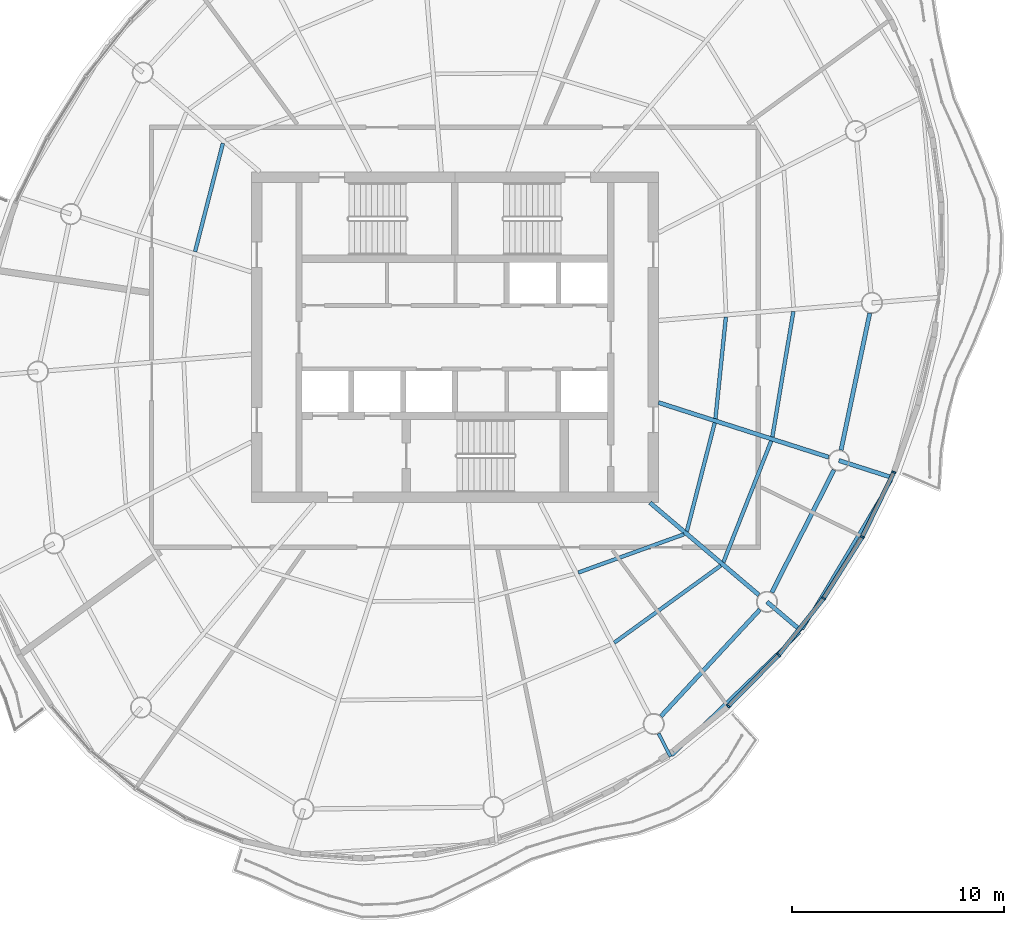
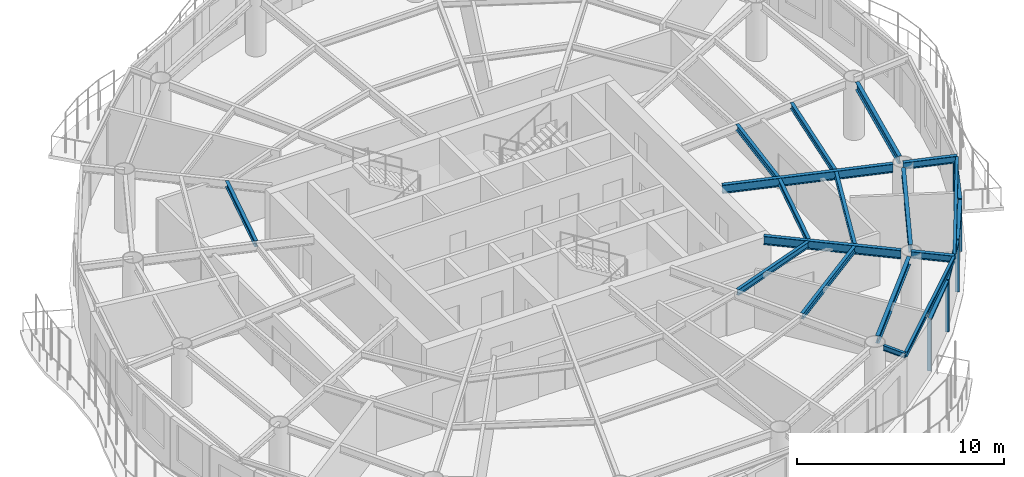
# One storey, part 3 of 14: 17 beams, 9 members, 4 elements without a shape of their own.
"""IFC4 building model written with IfcOpenShell, lengths in metres."""

from ifc_helpers import new_model, si_unit, direction, frame, origin, origin_2d, place, context, subcontext, project, spatial, rectangle, i_section, extrude, material, material_profile, profile_set, type_object, element, aggregate, save


model = new_model("IFC4")

# Units and contexts
model_context = context("Model", 3, precision=1e-05, world=origin(), true_north=direction((0.0, 1.0)))
body_context = subcontext(model_context, "Body", "Model", "MODEL_VIEW")
ifc_project = project(units=[si_unit("LENGTHUNIT", "METRE"), si_unit("AREAUNIT", "SQUARE_METRE"), si_unit("VOLUMEUNIT", "CUBIC_METRE"), si_unit("PLANEANGLEUNIT", "RADIAN"), si_unit("MASSUNIT", "GRAM", prefix="KILO")], contexts=[model_context])

# Site, building, storey
site_placement = place(None, origin())
site = spatial("IfcSite", under=ifc_project, at=site_placement, CompositionType="ELEMENT")
building_placement = place(site_placement, origin())
building = spatial("IfcBuilding", under=site, at=building_placement, Name="Vermilion Reach Broadcast Tower", CompositionType="ELEMENT")
storey_placement = place(building_placement, frame((0.0, 0.0, 254.10009765625)))
storey = spatial("IfcBuildingStorey", under=building, at=storey_placement, Name="L62", CompositionType="ELEMENT", Elevation=254.10009765625)

# Beams
ifc_material_1 = material(Name="Steel S355J2", Category="steel")
ifc_material_profile_1 = material_profile(ifc_material_1, i_section(OverallWidth=0.14990234375, OverallDepth=0.300048828125, WebThickness=0.006591796875, FlangeThickness=0.009033203125, at=origin_2d()), Name="S355J2 HN 300x150x6.5x9")
ifc_profile_set_1 = profile_set([ifc_material_profile_1], Name="Steel S355J2")
beam_type_1 = type_object("IfcBeamType", Name="EB5 HN 300x150x6.5x9", PredefinedType="BEAM", material=ifc_profile_set_1)
beam_1_placement = place(storey_placement, frame((4.224609375, -19.722412109375, 3.2998046875), z_axis=(0.720760242207, 0.693184443892, 0.0), x_axis=(-0.693184443892, 0.720760242207, 0.0)))
element("IfcBeam", 1, at=beam_1_placement, inside=storey, type_object=beam_type_1, Name="Edge beam EB5-11", PredefinedType="BEAM", context=body_context, shape_type="SweptSolid", body=[
    extrude(i_section(OverallWidth=0.14990234375, OverallDepth=0.300048828125, WebThickness=0.006591796875, FlangeThickness=0.009033203125, at=origin_2d()), origin(), (0.0, 0.0, 1.0), 8.375244140625),
])
beam_2_placement = place(storey_placement, frame((10.3857421875, -13.760009765625, 3.2998046875), z_axis=(0.512455740507, 0.858713639126, 0.0), x_axis=(-0.858713639126, 0.512455740507, 0.0)))
element("IfcBeam", 2, at=beam_2_placement, inside=storey, type_object=beam_type_1, Name="Edge beam EB5-12", PredefinedType="BEAM", context=body_context, shape_type="SweptSolid", body=[
    extrude(i_section(OverallWidth=0.14990234375, OverallDepth=0.300048828125, WebThickness=0.006591796875, FlangeThickness=0.009033203125, at=origin_2d()), origin(), (0.0, 0.0, 1.0), 8.207275390625),
])
ifc_material_2 = material(Name="Steel S355J2", Category="steel")
ifc_material_profile_2 = material_profile(ifc_material_2, i_section(OverallWidth=0.199951171875, OverallDepth=0.5, WebThickness=0.010009765625, FlangeThickness=0.01611328125, at=origin_2d()), Name="S355J2 HN 500x200x10x16")
ifc_profile_set_2 = profile_set([ifc_material_profile_2], Name="Steel S355J2")
beam_type_2 = type_object("IfcBeamType", Name="G5 HN 500x200x10x16", PredefinedType="BEAM", material=ifc_profile_set_2)
beam_3_placement = place(storey_placement, frame((3.20068359375, -7.800048828125, 3.199951171875), z_axis=(0.762793125612, -0.646642596431, 0.0), x_axis=(0.646642596431, 0.762793125612, 0.0)))
element("IfcBeam", 3, at=beam_3_placement, inside=storey, type_object=beam_type_2, Name="Girder G5-12", PredefinedType="BEAM", context=body_context, shape_type="SweptSolid", body=[
    extrude(i_section(OverallWidth=0.199951171875, OverallDepth=0.5, WebThickness=0.010009765625, FlangeThickness=0.01611328125, at=origin_2d()), origin(), (0.0, 0.0, 1.0), 6.732421875),
])
beam_4_placement = place(storey_placement, frame((3.60009765625, -3.080322265625, 3.199951171875), z_axis=(0.952178453449, -0.305542456604, 0.0), x_axis=(0.305542456604, 0.952178453449, 0.0)))
element("IfcBeam", 4, at=beam_4_placement, inside=storey, type_object=beam_type_2, Name="Girder G5-13", PredefinedType="BEAM", context=body_context, shape_type="SweptSolid", body=[
    extrude(i_section(OverallWidth=0.199951171875, OverallDepth=0.5, WebThickness=0.010009765625, FlangeThickness=0.01611328125, at=origin_2d()), origin(), (0.0, 0.0, 1.0), 8.43310546875),
])
ifc_material_3 = material(Name="Steel S355J2", Category="steel")
ifc_material_profile_3 = material_profile(ifc_material_3, i_section(OverallWidth=0.199951171875, OverallDepth=0.39990234375, WebThickness=0.008056640625, FlangeThickness=0.012939453125, at=origin_2d()), Name="S355J2 HN 400x200x8x13")
ifc_profile_set_3 = profile_set([ifc_material_profile_3], Name="Steel S355J2")
beam_type_3 = type_object("IfcBeamType", Name="GC5 HN 400x200x8x13", PredefinedType="BEAM", material=ifc_profile_set_3)
beam_5_placement = place(storey_placement, frame((8.717529296875, -12.476806640625, 3.25), z_axis=(0.762734724319, -0.646711481511, 0.0), x_axis=(0.646711481511, 0.762734724319, 0.0)))
element("IfcBeam", 5, at=beam_5_placement, inside=storey, type_object=beam_type_3, Name="Cantilever girder GC5-12", PredefinedType="BEAM", context=body_context, shape_type="SweptSolid", body=[
    extrude(i_section(OverallWidth=0.199951171875, OverallDepth=0.39990234375, WebThickness=0.008056640625, FlangeThickness=0.012939453125, at=origin_2d()), origin(), (0.0, 0.0, 1.0), 2.118896484375),
])
beam_6_placement = place(storey_placement, frame((12.10595703125, -5.809814453125, 3.25), z_axis=(0.95218566147, -0.305519992947, 0.0), x_axis=(0.305519992947, 0.95218566147, 0.0)))
element("IfcBeam", 6, at=beam_6_placement, inside=storey, type_object=beam_type_3, Name="Cantilever girder GC5-13", PredefinedType="BEAM", context=body_context, shape_type="SweptSolid", body=[
    extrude(i_section(OverallWidth=0.199951171875, OverallDepth=0.39990234375, WebThickness=0.008056640625, FlangeThickness=0.012939453125, at=origin_2d()), origin(), (0.0, 0.0, 1.0), 2.665771484375),
])
ifc_material_4 = material(Name="Steel S355J2", Category="steel")
ifc_material_profile_4 = material_profile(ifc_material_4, i_section(OverallWidth=0.14990234375, OverallDepth=0.300048828125, WebThickness=0.006591796875, FlangeThickness=0.009033203125, at=origin_2d()), Name="S355J2 HN 300x150x6.5x9")
ifc_profile_set_4 = profile_set([ifc_material_profile_4], Name="Steel S355J2")
beam_type_4 = type_object("IfcBeamType", Name="GS5 HN 300x150x6.5x9", PredefinedType="BEAM", material=ifc_profile_set_4)
beam_7_placement = place(storey_placement, frame((3.60546875, -18.682373046875, 3.2998046875), z_axis=(0.457343529414, -0.889290107953, 0.0), x_axis=(0.889290107953, 0.457343529414, 0.0)))
element("IfcBeam", 7, at=beam_7_placement, inside=storey, type_object=beam_type_4, Name="Cantilever stub GS5-11", PredefinedType="BEAM", context=body_context, shape_type="SweptSolid", body=[
    extrude(i_section(OverallWidth=0.14990234375, OverallDepth=0.300048828125, WebThickness=0.006591796875, FlangeThickness=0.009033203125, at=origin_2d()), origin(), (0.0, 0.0, 1.0), 1.23046875),
])
ifc_material_5 = material(Name="Steel S355J2", Category="steel")
ifc_material_profile_5 = material_profile(ifc_material_5, i_section(OverallWidth=0.199951171875, OverallDepth=0.449951171875, WebThickness=0.009033203125, FlangeThickness=0.013916015625, at=origin_2d()), Name="S355J2 HN 450x200x9x14")
ifc_profile_set_5 = profile_set([ifc_material_profile_5], Name="Steel S355J2")
beam_type_5 = type_object("IfcBeamType", Name="RB5 HN 450x200x9x14", PredefinedType="BEAM", material=ifc_profile_set_5)
beam_8_placement = place(storey_placement, frame((3.716796875, -17.87109375, 3.224853515625), z_axis=(0.679837550075, 0.733362738014, 0.0), x_axis=(-0.733362738014, 0.679837550075, 0.0)))
element("IfcBeam", 8, at=beam_8_placement, inside=storey, type_object=beam_type_5, Name="Ring beam RB5-11", PredefinedType="BEAM", context=body_context, shape_type="SweptSolid", body=[
    extrude(i_section(OverallWidth=0.199951171875, OverallDepth=0.449951171875, WebThickness=0.009033203125, FlangeThickness=0.013916015625, at=origin_2d()), origin(), (0.0, 0.0, 1.0), 6.85546875),
])
beam_9_placement = place(storey_placement, frame((8.944091796875, -12.03125, 3.224853515625), z_axis=(0.453052302855, 0.891483937532, 0.0), x_axis=(-0.891483937532, 0.453052302855, 0.0)))
element("IfcBeam", 9, at=beam_9_placement, inside=storey, type_object=beam_type_5, Name="Ring beam RB5-12", PredefinedType="BEAM", context=body_context, shape_type="SweptSolid", body=[
    extrude(i_section(OverallWidth=0.199951171875, OverallDepth=0.449951171875, WebThickness=0.009033203125, FlangeThickness=0.013916015625, at=origin_2d()), origin(), (0.0, 0.0, 1.0), 6.47900390625),
])
beam_10_placement = place(storey_placement, frame((12.208740234375, -5.3203125, 3.224853515625), z_axis=(0.205444869285, 0.978668690459, 0.0), x_axis=(-0.978668690459, 0.205444869285, 0.0)))
element("IfcBeam", 10, at=beam_10_placement, inside=storey, type_object=beam_type_5, Name="Ring beam RB5-13", PredefinedType="BEAM", context=body_context, shape_type="SweptSolid", body=[
    extrude(i_section(OverallWidth=0.199951171875, OverallDepth=0.449951171875, WebThickness=0.009033203125, FlangeThickness=0.013916015625, at=origin_2d()), origin(), (0.0, 0.0, 1.0), 6.591796875),
])
ifc_material_6 = material(Name="Steel S355J2", Category="steel")
ifc_material_profile_6 = material_profile(ifc_material_6, i_section(OverallWidth=0.175048828125, OverallDepth=0.35009765625, WebThickness=0.007080078125, FlangeThickness=0.010986328125, at=origin_2d()), Name="S355J2 HN 350x175x7x11")
ifc_profile_set_6 = profile_set([ifc_material_profile_6], Name="Steel S355J2")
beam_type_6 = type_object("IfcBeamType", Name="SB5 HN 350x175x7x11", PredefinedType="BEAM", material=ifc_profile_set_6)
beam_11_placement = place(storey_placement, frame((-16.940185546875, 9.1435546875, 3.27490234375), z_axis=(-0.248729575729, -0.968572969971, 0.0), x_axis=(0.968572969971, -0.248729575729, 0.0)))
element("IfcBeam", 11, at=beam_11_placement, inside=storey, type_object=beam_type_6, Name="Secondary beam SB5-04-1", PredefinedType="BEAM", context=body_context, shape_type="SweptSolid", body=[
    extrude(i_section(OverallWidth=0.175048828125, OverallDepth=0.35009765625, WebThickness=0.007080078125, FlangeThickness=0.010986328125, at=origin_2d()), origin(), (0.0, 0.0, 1.0), 5.27294921875),
])
beam_12_placement = place(storey_placement, frame((-0.18212890625, -11.0966796875, 3.27490234375), z_axis=(0.940220108875, 0.340567389613, 0.0), x_axis=(-0.340567389613, 0.940220108875, 0.0)))
element("IfcBeam", 12, at=beam_12_placement, inside=storey, type_object=beam_type_6, Name="Secondary beam SB5-11-1", PredefinedType="BEAM", context=body_context, shape_type="SweptSolid", body=[
    extrude(i_section(OverallWidth=0.175048828125, OverallDepth=0.35009765625, WebThickness=0.007080078125, FlangeThickness=0.010986328125, at=origin_2d()), origin(), (0.0, 0.0, 1.0), 5.303466796875),
])
beam_13_placement = place(storey_placement, frame((1.517578125, -14.402587890625, 3.27490234375), z_axis=(0.809771251518, 0.586745703192, 0.0), x_axis=(-0.586745703192, 0.809771251518, 0.0)))
element("IfcBeam", 13, at=beam_13_placement, inside=storey, type_object=beam_type_6, Name="Secondary beam SB5-11-2", PredefinedType="BEAM", context=body_context, shape_type="SweptSolid", body=[
    extrude(i_section(OverallWidth=0.175048828125, OverallDepth=0.35009765625, WebThickness=0.007080078125, FlangeThickness=0.010986328125, at=origin_2d()), origin(), (0.0, 0.0, 1.0), 6.20361328125),
])
beam_14_placement = place(storey_placement, frame((4.940185546875, -9.1435546875, 3.27490234375), z_axis=(0.248729575729, 0.968572969971, 0.0), x_axis=(-0.968572969971, 0.248729575729, 0.0)))
element("IfcBeam", 14, at=beam_14_placement, inside=storey, type_object=beam_type_6, Name="Secondary beam SB5-12-1", PredefinedType="BEAM", context=body_context, shape_type="SweptSolid", body=[
    extrude(i_section(OverallWidth=0.175048828125, OverallDepth=0.35009765625, WebThickness=0.007080078125, FlangeThickness=0.010986328125, at=origin_2d()), origin(), (0.0, 0.0, 1.0), 5.27294921875),
])
beam_15_placement = place(storey_placement, frame((6.6630859375, -10.604248046875, 3.27490234375), z_axis=(0.366931189603, 0.930248086317, 0.0), x_axis=(-0.930248086317, 0.366931189603, 0.0)))
element("IfcBeam", 15, at=beam_15_placement, inside=storey, type_object=beam_type_6, Name="Secondary beam SB5-12-2", PredefinedType="BEAM", context=body_context, shape_type="SweptSolid", body=[
    extrude(i_section(OverallWidth=0.175048828125, OverallDepth=0.35009765625, WebThickness=0.007080078125, FlangeThickness=0.010986328125, at=origin_2d()), origin(), (0.0, 0.0, 1.0), 6.141357421875),
])
beam_16_placement = place(storey_placement, frame((6.287109375, -3.837646484375, 3.27490234375), z_axis=(0.102113775264, 0.994772726255, 0.0), x_axis=(-0.994772726255, 0.102113775264, 0.0)))
element("IfcBeam", 16, at=beam_16_placement, inside=storey, type_object=beam_type_6, Name="Secondary beam SB5-13-1", PredefinedType="BEAM", context=body_context, shape_type="SweptSolid", body=[
    extrude(i_section(OverallWidth=0.175048828125, OverallDepth=0.35009765625, WebThickness=0.007080078125, FlangeThickness=0.010986328125, at=origin_2d()), origin(), (0.0, 0.0, 1.0), 4.815185546875),
])
beam_17_placement = place(storey_placement, frame((8.969970703125, -4.698486328125, 3.27490234375), z_axis=(0.16532337011, 0.986239414795, 0.0), x_axis=(-0.986239414795, 0.16532337011, 0.0)))
element("IfcBeam", 17, at=beam_17_placement, inside=storey, type_object=beam_type_6, Name="Secondary beam SB5-13-2", PredefinedType="BEAM", context=body_context, shape_type="SweptSolid", body=[
    extrude(i_section(OverallWidth=0.175048828125, OverallDepth=0.35009765625, WebThickness=0.007080078125, FlangeThickness=0.010986328125, at=origin_2d()), origin(), (0.0, 0.0, 1.0), 5.99560546875),
])

# Curtain wall, member
ifc_material_7 = material(Name="Low-e laminated clear glass in aluminium frame", Category="aluminium")
curtain_wall_type = type_object("IfcCurtainWallType", Name="Slot curtain wall", PredefinedType="NOTDEFINED", material=ifc_material_7)
placement = place(storey_placement, origin())
curtain_wall_1 = element("IfcCurtainWall", 18, at=placement, inside=storey, type_object=curtain_wall_type, Name="Slot curtain wall L62 34", PredefinedType="NOTDEFINED")
ifc_material_8 = material(Name="Anodised aluminium", Category="aluminium")
ifc_material_profile_7 = material_profile(ifc_material_8, rectangle(XDim=0.199951171875, YDim=0.080078125, at=origin_2d()), Name="Slot mullion 80 x 200")
ifc_profile_set_7 = profile_set([ifc_material_profile_7], Name="Anodised aluminium")
member_type_1 = type_object("IfcMemberType", Name="Slot mullion 80 x 200", PredefinedType="MULLION", material=ifc_profile_set_7)
member_1_placement = place(storey_placement, frame((6.891357421875, -17.400390625, 0.0), z_axis=(0.0, 0.0, 1.0), x_axis=(-0.673257878511, 0.739407755587, 0.0)))
member_1 = element("IfcMember", 19, at=member_1_placement, type_object=member_type_1, Name="Slot mullion L62 34", PredefinedType="MULLION", context=body_context, shape_type="SweptSolid", body=[
    extrude(rectangle(XDim=0.199951171875, YDim=0.080078125, at=origin_2d()), origin(), (0.0, 0.0, 1.0), 3.0498046875),
])

curtain_wall_2 = element("IfcCurtainWall", 20, at=placement, inside=storey, type_object=curtain_wall_type, Name="Slot curtain wall L62 35", PredefinedType="NOTDEFINED")
member_2_placement = place(storey_placement, frame((9.27197265625, -14.98095703125, 0.0), z_axis=(0.0, 0.0, 1.0), x_axis=(-0.749580749829, 0.661912909291, 0.0)))
member_2 = element("IfcMember", 21, at=member_2_placement, type_object=member_type_1, Name="Slot mullion L62 35", PredefinedType="MULLION", context=body_context, shape_type="SweptSolid", body=[
    extrude(rectangle(XDim=0.199951171875, YDim=0.080078125, at=origin_2d()), origin(), (0.0, 0.0, 1.0), 3.0498046875),
])

curtain_wall_3 = element("IfcCurtainWall", 22, at=placement, inside=storey, type_object=curtain_wall_type, Name="Slot curtain wall L62 36", PredefinedType="NOTDEFINED")
member_3_placement = place(storey_placement, frame((11.390380859375, -12.303955078125, 0.0), z_axis=(0.0, 0.0, 1.0), x_axis=(-0.816339305354, 0.577572626199, 0.0)))
member_3 = element("IfcMember", 23, at=member_3_placement, type_object=member_type_1, Name="Slot mullion L62 36", PredefinedType="MULLION", context=body_context, shape_type="SweptSolid", body=[
    extrude(rectangle(XDim=0.199951171875, YDim=0.080078125, at=origin_2d()), origin(), (0.0, 0.0, 1.0), 3.0498046875),
])

# Curtain wall, members
curtain_wall_4 = element("IfcCurtainWall", 24, at=placement, inside=storey, type_object=curtain_wall_type, Name="Slot curtain wall L62 37", PredefinedType="NOTDEFINED")
member_4_placement = place(storey_placement, frame((13.209716796875, -9.41552734375, 0.0), z_axis=(0.0, 0.0, 1.0), x_axis=(-0.873652736439, 0.486549993435, 0.0)))
member_4 = element("IfcMember", 25, at=member_4_placement, type_object=member_type_1, Name="Slot mullion L62 37", PredefinedType="MULLION", context=body_context, shape_type="SweptSolid", body=[
    extrude(rectangle(XDim=0.199951171875, YDim=0.080078125, at=origin_2d()), origin(), (0.0, 0.0, 1.0), 3.0498046875),
])
member_5_placement = place(storey_placement, frame((14.698974609375, -6.365234375, 0.0), z_axis=(0.0, 0.0, 1.0), x_axis=(-0.921327834354, 0.388786601679, 0.0)))
member_5 = element("IfcMember", 26, at=member_5_placement, type_object=member_type_1, Name="Slot mullion L62 38", PredefinedType="MULLION", context=body_context, shape_type="SweptSolid", body=[
    extrude(rectangle(XDim=0.199951171875, YDim=0.080078125, at=origin_2d()), origin(), (0.0, 0.0, 1.0), 3.0498046875),
])

# Member
ifc_material_9 = material(Name="Anodised aluminium", Category="aluminium")
ifc_material_profile_8 = material_profile(ifc_material_9, rectangle(XDim=0.199951171875, YDim=0.10009765625, at=origin_2d()), Name="Slot transom 200 x 100")
ifc_profile_set_8 = profile_set([ifc_material_profile_8], Name="Anodised aluminium")
member_type_2 = type_object("IfcMemberType", Name="Slot transom 200 x 100", PredefinedType="USERDEFINED", material=ifc_profile_set_8)
member_6_placement = place(storey_placement, frame((6.91943359375, -17.371826171875, 3.0), z_axis=(0.70137461323, 0.712792853441, 0.0), x_axis=(-0.712792853441, 0.70137461323, 0.0)))
member_6 = element("IfcMember", 27, at=member_6_placement, type_object=member_type_2, Name="Slot transom L62 34.1", ObjectType="TRANSOM", PredefinedType="USERDEFINED", context=body_context, shape_type="SweptSolid", body=[
    extrude(rectangle(XDim=0.199951171875, YDim=0.10009765625, at=origin_2d()), origin(), (0.0, 0.0, 1.0), 3.314208984375),
])

aggregate(curtain_wall_1, [member_1, member_6])

member_7_placement = place(storey_placement, frame((9.296875, -14.94970703125, 3.0), z_axis=(0.620479711606, 0.784222498712, 0.0), x_axis=(-0.784222498712, 0.620479711606, 0.0)))
member_7 = element("IfcMember", 28, at=member_7_placement, type_object=member_type_2, Name="Slot transom L62 35.1", ObjectType="TRANSOM", PredefinedType="USERDEFINED", context=body_context, shape_type="SweptSolid", body=[
    extrude(rectangle(XDim=0.199951171875, YDim=0.10009765625, at=origin_2d()), origin(), (0.0, 0.0, 1.0), 3.333984375),
])

aggregate(curtain_wall_2, [member_2, member_7])

member_8_placement = place(storey_placement, frame((11.41162109375, -12.27001953125, 3.0), z_axis=(0.532984181983, 0.846125204539, 0.0), x_axis=(-0.846125204539, 0.532984181983, 0.0)))
member_8 = element("IfcMember", 29, at=member_8_placement, type_object=member_type_2, Name="Slot transom L62 36.1", ObjectType="TRANSOM", PredefinedType="USERDEFINED", context=body_context, shape_type="SweptSolid", body=[
    extrude(rectangle(XDim=0.199951171875, YDim=0.10009765625, at=origin_2d()), origin(), (0.0, 0.0, 1.0), 3.333740234375),
])

aggregate(curtain_wall_3, [member_3, member_8])

member_9_placement = place(storey_placement, frame((13.227294921875, -9.37939453125, 3.0), z_axis=(0.438766133, 0.898601291192, 0.0), x_axis=(-0.898601291192, 0.438766133, 0.0)))
member_9 = element("IfcMember", 30, at=member_9_placement, type_object=member_type_2, Name="Slot transom L62 37.1", ObjectType="TRANSOM", PredefinedType="USERDEFINED", context=body_context, shape_type="SweptSolid", body=[
    extrude(rectangle(XDim=0.199951171875, YDim=0.10009765625, at=origin_2d()), origin(), (0.0, 0.0, 1.0), 3.31396484375),
])

aggregate(curtain_wall_4, [member_4, member_5, member_9])

save(model, "model.ifc")
